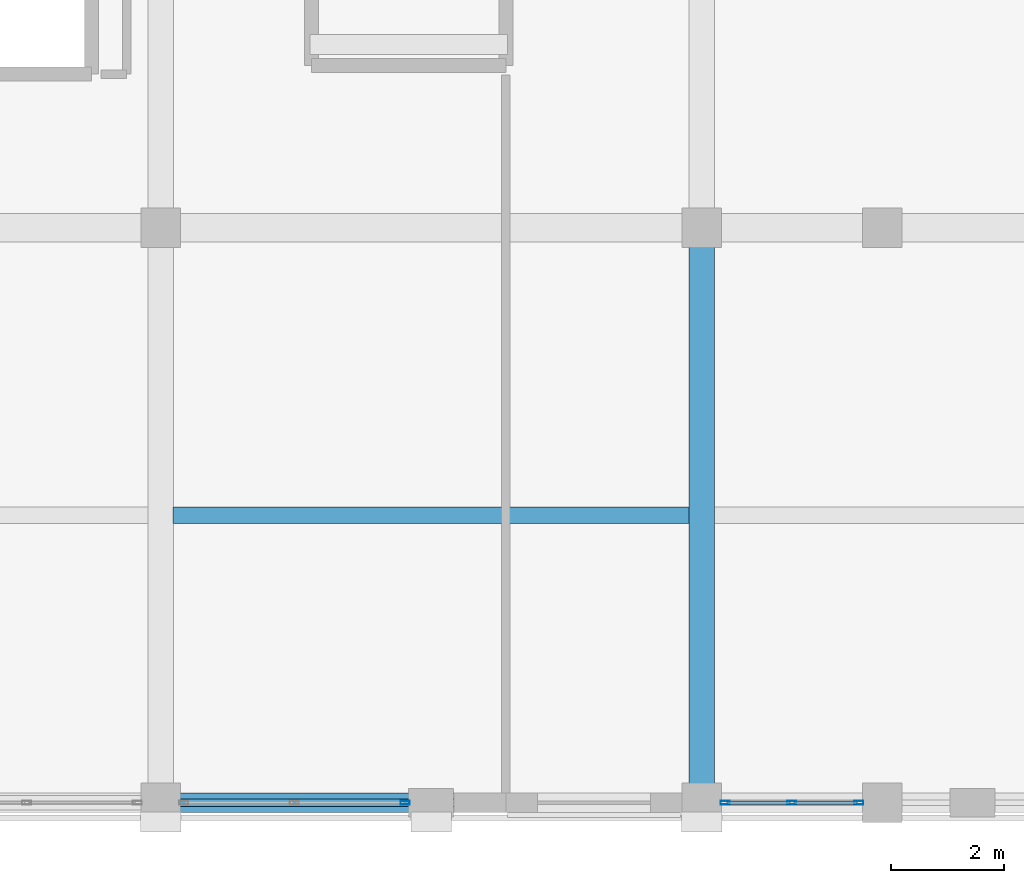
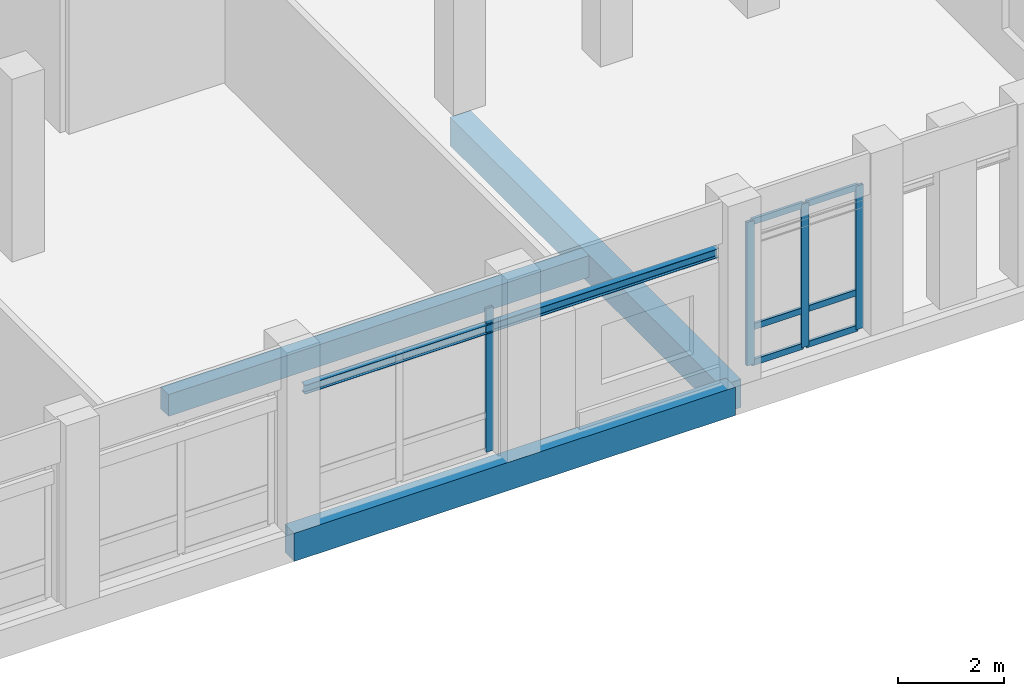
# One storey, part 25 of 185: 10 members, 4 beams, 2 elements without a shape of their own.
"""IFC4 building model written with IfcOpenShell, lengths in metres."""

from ifc_helpers import new_model, si_unit, direction, frame, origin, origin_2d, place, context, subcontext, project, spatial, rectangle, hollow_rectangle, i_section, extrude, material, material_profile, profile_set, type_object, element, aggregate, save


model = new_model("IFC4")

# Units and contexts
model_context = context("Model", 3, precision=1e-05, world=origin(), true_north=direction((0.0, 1.0)))
body_context = subcontext(model_context, "Body", "Model", "MODEL_VIEW")
ifc_project = project(units=[si_unit("LENGTHUNIT", "METRE"), si_unit("AREAUNIT", "SQUARE_METRE"), si_unit("VOLUMEUNIT", "CUBIC_METRE"), si_unit("PLANEANGLEUNIT", "RADIAN"), si_unit("MASSUNIT", "GRAM", prefix="KILO")], contexts=[model_context])

# Site, building, storey
site_placement = place(None, origin())
site = spatial("IfcSite", under=ifc_project, at=site_placement, CompositionType="ELEMENT")
building_placement = place(site_placement, origin())
building = spatial("IfcBuilding", under=site, at=building_placement, Name="Vondelvale Polytechnic", CompositionType="ELEMENT")
storey_placement = place(building_placement, frame((0.0, 0.0, 9.60009765625)))
storey = spatial("IfcBuildingStorey", under=building, at=storey_placement, Name="L02", CompositionType="ELEMENT", Elevation=9.60009765625)

# Beam
ifc_material_1 = material(Name="Concrete N40 (f'c = 40 MPa)", Category="concrete")
ifc_material_profile_1 = material_profile(ifc_material_1, rectangle(XDim=0.449951171875, YDim=0.64990234375, at=origin_2d()), Name="RC-BM-450x650")
ifc_profile_set_1 = profile_set([ifc_material_profile_1], Name="Concrete N40 (f'c = 40 MPa)")
beam_type_1 = type_object("IfcBeamType", Name="BM-RC450x650", PredefinedType="BEAM", material=ifc_profile_set_1)
beam_1_placement = place(storey_placement, frame((38.39990234375, 0.0, -0.60498046875), z_axis=(0.0, 1.0, 0.0), x_axis=(-1.0, 0.0, 0.0)))
element("IfcBeam", 1, at=beam_1_placement, inside=storey, type_object=beam_type_1, Name="L02 B B-04", PredefinedType="BEAM", context=body_context, shape_type="SweptSolid", body=[
    extrude(rectangle(XDim=0.449951171875, YDim=0.64990234375, at=origin_2d()), origin(), (0.0, 0.0, 1.0), 10.199951171875),
])

# Curtain wall, member
ifc_material_2 = material(Name="Anodised extruded aluminium 6063-T6", Category="aluminium")
curtain_wall_type = type_object("IfcCurtainWallType", Name="CW-LIBRARY-BAY", PredefinedType="NOTDEFINED", material=ifc_material_2)
curtain_wall_1_placement = place(storey_placement, origin())
curtain_wall_1 = element("IfcCurtainWall", 2, at=curtain_wall_1_placement, inside=storey, type_object=curtain_wall_type, Name="L02 architectural curtain wall CW-02-016", PredefinedType="NOTDEFINED")
ifc_material_profile_2 = material_profile(ifc_material_2, hollow_rectangle(XDim=0.06494140625, YDim=0.159912109375, WallThickness=0.0048828125, at=origin_2d()), Name="CW-MUL-160x65")
ifc_profile_set_2 = profile_set([ifc_material_profile_2], Name="Anodised extruded aluminium 6063-T6")
member_type_1 = type_object("IfcMemberType", Name="CW-MUL-65x160", PredefinedType="MULLION", material=ifc_profile_set_2)
member_1_placement = place(storey_placement, frame((33.137451171875, 0.0, 0.0), z_axis=(0.0, 0.0, 1.0), x_axis=(0.0, 1.0, 0.0)))
member_1 = element("IfcMember", 3, at=member_1_placement, type_object=member_type_1, Name="CW-02-016 mullion 3", PredefinedType="MULLION", context=body_context, shape_type="SweptSolid", body=[
    extrude(hollow_rectangle(XDim=0.06494140625, YDim=0.159912109375, WallThickness=0.0048828125, at=origin_2d()), origin(), (0.0, 0.0, 1.0), 3.2998046875),
])
aggregate(curtain_wall_1, [member_1])

# Curtain wall, members
curtain_wall_2_placement = place(storey_placement, origin())
curtain_wall_2 = element("IfcCurtainWall", 4, at=curtain_wall_2_placement, inside=storey, type_object=curtain_wall_type, Name="L02 architectural curtain wall CW-02-017", PredefinedType="NOTDEFINED")
member_2_placement = place(storey_placement, frame((38.8125, 0.0, 0.0), z_axis=(0.0, 0.0, 1.0), x_axis=(0.0, 1.0, 0.0)))
member_2 = element("IfcMember", 5, at=member_2_placement, type_object=member_type_1, Name="CW-02-017 mullion 1", PredefinedType="MULLION", context=body_context, shape_type="SweptSolid", body=[
    extrude(hollow_rectangle(XDim=0.06494140625, YDim=0.159912109375, WallThickness=0.0048828125, at=origin_2d()), origin(), (0.0, 0.0, 1.0), 3.2998046875),
])
member_3_placement = place(storey_placement, frame((40.0, 0.0, 0.0), z_axis=(0.0, 0.0, 1.0), x_axis=(0.0, 1.0, 0.0)))
member_3 = element("IfcMember", 6, at=member_3_placement, type_object=member_type_1, Name="CW-02-017 mullion 2", PredefinedType="MULLION", context=body_context, shape_type="SweptSolid", body=[
    extrude(hollow_rectangle(XDim=0.06494140625, YDim=0.159912109375, WallThickness=0.0048828125, at=origin_2d()), origin(), (0.0, 0.0, 1.0), 3.2998046875),
])
member_4_placement = place(storey_placement, frame((41.1875, 0.0, 0.0), z_axis=(0.0, 0.0, 1.0), x_axis=(0.0, 1.0, 0.0)))
member_4 = element("IfcMember", 7, at=member_4_placement, type_object=member_type_1, Name="CW-02-017 mullion 3", PredefinedType="MULLION", context=body_context, shape_type="SweptSolid", body=[
    extrude(hollow_rectangle(XDim=0.06494140625, YDim=0.159912109375, WallThickness=0.0048828125, at=origin_2d()), origin(), (0.0, 0.0, 1.0), 3.2998046875),
])
ifc_material_profile_3 = material_profile(ifc_material_2, hollow_rectangle(XDim=0.06005859375, YDim=0.139892578125, WallThickness=0.00341796875, at=origin_2d()), Name="CW-TRN-140x60")
ifc_profile_set_3 = profile_set([ifc_material_profile_3], Name="Anodised extruded aluminium 6063-T6")
member_type_2 = type_object("IfcMemberType", Name="CW-TRN-60x140", PredefinedType="USERDEFINED", material=ifc_profile_set_3)
member_5_placement = place(storey_placement, frame((38.844970703125, 0.0, 0.02978515625), z_axis=(1.0, 0.0, 0.0), x_axis=(0.0, 1.0, 0.0)))
member_5 = element("IfcMember", 8, at=member_5_placement, type_object=member_type_2, Name="CW-02-017 transom 1.1", ObjectType="TRANSOM", PredefinedType="USERDEFINED", context=body_context, shape_type="SweptSolid", body=[
    extrude(hollow_rectangle(XDim=0.06005859375, YDim=0.139892578125, WallThickness=0.00341796875, at=origin_2d()), origin(), (0.0, 0.0, 1.0), 1.12255859375),
])
member_6_placement = place(storey_placement, frame((38.844970703125, 0.0, 0.849853515625), z_axis=(1.0, 0.0, 0.0), x_axis=(0.0, 1.0, 0.0)))
member_6 = element("IfcMember", 9, at=member_6_placement, type_object=member_type_2, Name="CW-02-017 transom 1.2", ObjectType="TRANSOM", PredefinedType="USERDEFINED", context=body_context, shape_type="SweptSolid", body=[
    extrude(hollow_rectangle(XDim=0.06005859375, YDim=0.139892578125, WallThickness=0.00341796875, at=origin_2d()), origin(), (0.0, 0.0, 1.0), 1.12255859375),
])
member_7_placement = place(storey_placement, frame((38.844970703125, 0.0, 3.27001953125), z_axis=(1.0, 0.0, 0.0), x_axis=(0.0, 1.0, 0.0)))
member_7 = element("IfcMember", 10, at=member_7_placement, type_object=member_type_2, Name="CW-02-017 transom 1.3", ObjectType="TRANSOM", PredefinedType="USERDEFINED", context=body_context, shape_type="SweptSolid", body=[
    extrude(hollow_rectangle(XDim=0.06005859375, YDim=0.139892578125, WallThickness=0.00341796875, at=origin_2d()), origin(), (0.0, 0.0, 1.0), 1.12255859375),
])
member_8_placement = place(storey_placement, frame((40.032470703125, 0.0, 0.02978515625), z_axis=(1.0, 0.0, 0.0), x_axis=(0.0, 1.0, 0.0)))
member_8 = element("IfcMember", 11, at=member_8_placement, type_object=member_type_2, Name="CW-02-017 transom 2.1", ObjectType="TRANSOM", PredefinedType="USERDEFINED", context=body_context, shape_type="SweptSolid", body=[
    extrude(hollow_rectangle(XDim=0.06005859375, YDim=0.139892578125, WallThickness=0.00341796875, at=origin_2d()), origin(), (0.0, 0.0, 1.0), 1.12255859375),
])
member_9_placement = place(storey_placement, frame((40.032470703125, 0.0, 0.849853515625), z_axis=(1.0, 0.0, 0.0), x_axis=(0.0, 1.0, 0.0)))
member_9 = element("IfcMember", 12, at=member_9_placement, type_object=member_type_2, Name="CW-02-017 transom 2.2", ObjectType="TRANSOM", PredefinedType="USERDEFINED", context=body_context, shape_type="SweptSolid", body=[
    extrude(hollow_rectangle(XDim=0.06005859375, YDim=0.139892578125, WallThickness=0.00341796875, at=origin_2d()), origin(), (0.0, 0.0, 1.0), 1.12255859375),
])
member_10_placement = place(storey_placement, frame((40.032470703125, 0.0, 3.27001953125), z_axis=(1.0, 0.0, 0.0), x_axis=(0.0, 1.0, 0.0)))
member_10 = element("IfcMember", 13, at=member_10_placement, type_object=member_type_2, Name="CW-02-017 transom 2.3", ObjectType="TRANSOM", PredefinedType="USERDEFINED", context=body_context, shape_type="SweptSolid", body=[
    extrude(hollow_rectangle(XDim=0.06005859375, YDim=0.139892578125, WallThickness=0.00341796875, at=origin_2d()), origin(), (0.0, 0.0, 1.0), 1.12255859375),
])
aggregate(curtain_wall_2, [member_2, member_3, member_4, member_5, member_6, member_7, member_8, member_9, member_10])

# Beams
ifc_material_profile_4 = material_profile(ifc_material_1, rectangle(XDim=0.300048828125, YDim=0.5, at=origin_2d()), Name="RC-JST-300x500")
ifc_profile_set_4 = profile_set([ifc_material_profile_4], Name="Concrete N40 (f'c = 40 MPa)")
beam_type_2 = type_object("IfcBeamType", Name="JST-RC300x500", PredefinedType="JOIST", material=ifc_profile_set_4)
beam_2_placement = place(storey_placement, frame((29.02490234375, 5.10009765625, -0.530029296875), z_axis=(1.0, 0.0, 0.0), x_axis=(0.0, 1.0, 0.0)))
element("IfcBeam", 14, at=beam_2_placement, inside=storey, type_object=beam_type_2, Name="L02 J J-02", PredefinedType="JOIST", context=body_context, shape_type="SweptSolid", body=[
    extrude(rectangle(XDim=0.300048828125, YDim=0.5, at=origin_2d()), origin(), (0.0, 0.0, 1.0), 9.150146484375),
])
ifc_material_3 = material(Name="Steel 300PLUS (fy = 300 MPa)", Category="steel")
ifc_material_profile_5 = material_profile(ifc_material_3, i_section(OverallWidth=0.134033203125, OverallDepth=0.20703125, WebThickness=0.00634765625, FlangeThickness=0.009521484375, FilletRadius=0.0087890625, at=origin_2d()), Name="200UB29.8")
ifc_profile_set_5 = profile_set([ifc_material_profile_5], Name="Steel 300PLUS (fy = 300 MPa)")
beam_type_3 = type_object("IfcBeamType", Name="LNT-UB200", PredefinedType="LINTEL", material=ifc_profile_set_5)
beam_3_placement = place(storey_placement, frame((29.10009765625, 0.0, 2.846435546875), z_axis=(1.0, 0.0, 0.0), x_axis=(0.0, 1.0, 0.0)))
element("IfcBeam", 15, at=beam_3_placement, inside=storey, type_object=beam_type_3, Name="L02 LN LN-03", PredefinedType="LINTEL", context=body_context, shape_type="SweptSolid", body=[
    extrude(i_section(OverallWidth=0.134033203125, OverallDepth=0.20703125, WebThickness=0.00634765625, FlangeThickness=0.009521484375, FilletRadius=0.0087890625, at=origin_2d()), origin(), (0.0, 0.0, 1.0), 9.0),
])
ifc_material_4 = material(Name="Precast concrete N40 (f'c = 40 MPa)", Category="concrete")
ifc_material_profile_6 = material_profile(ifc_material_4, rectangle(XDim=0.35009765625, YDim=0.64990234375, at=origin_2d()), Name="RC-SPN-350x650")
ifc_profile_set_6 = profile_set([ifc_material_profile_6], Name="Precast concrete N40 (f'c = 40 MPa)")
beam_type_4 = type_object("IfcBeamType", Name="SPN-PRE350x650", PredefinedType="SPANDREL", material=ifc_profile_set_6)
beam_4_placement = place(storey_placement, frame((28.800048828125, 0.0, -0.60498046875), z_axis=(1.0, 0.0, 0.0), x_axis=(0.0, 1.0, 0.0)))
element("IfcBeam", 16, at=beam_4_placement, inside=storey, type_object=beam_type_4, Name="L02 B SP-02", PredefinedType="SPANDREL", context=body_context, shape_type="SweptSolid", body=[
    extrude(rectangle(XDim=0.35009765625, YDim=0.64990234375, at=origin_2d()), origin(), (0.0, 0.0, 1.0), 9.599853515625),
])

save(model, "model.ifc")
